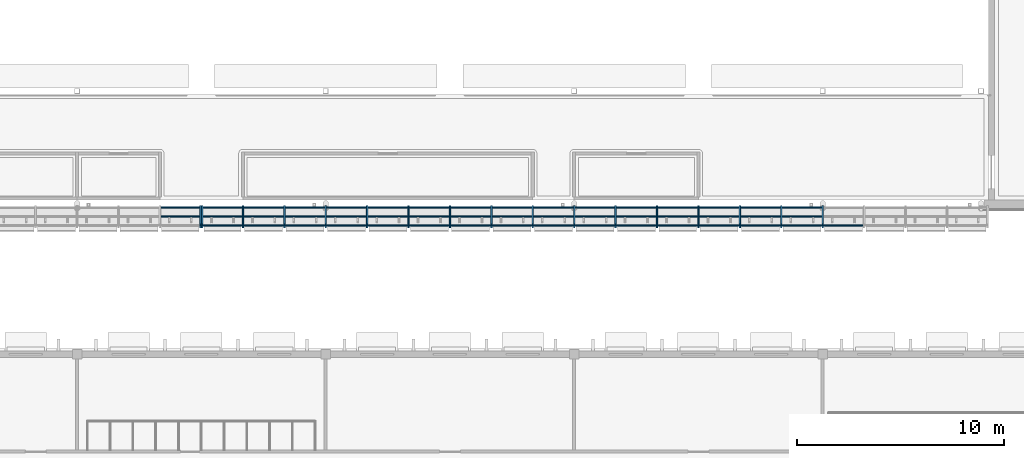
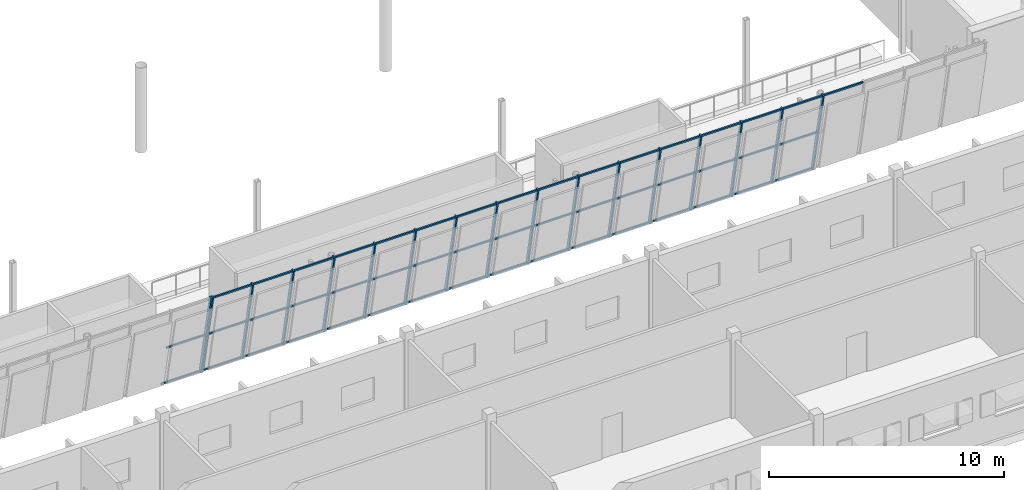
# One storey, part 29 of 115: 65 members, 2 elements without a shape of their own.
"""IFC4 building model written with IfcOpenShell, lengths in metres."""

from ifc_helpers import new_model, si_unit, direction, frame, origin, origin_2d, place, context, subcontext, project, spatial, rectangle, extrude, material, layer, layer_set, material_profile, profile_set, type_object, element, aggregate, save


model = new_model("IFC4")

# Units and contexts
model_context = context("Model", 3, precision=1e-05, world=origin(), true_north=direction((0.0, 1.0)))
body_context = subcontext(model_context, "Body", "Model", "MODEL_VIEW")
ifc_project = project(units=[si_unit("LENGTHUNIT", "METRE"), si_unit("AREAUNIT", "SQUARE_METRE"), si_unit("VOLUMEUNIT", "CUBIC_METRE"), si_unit("PLANEANGLEUNIT", "RADIAN"), si_unit("MASSUNIT", "GRAM", prefix="KILO")], contexts=[model_context])

# Site, building, storey
site_placement = place(None, origin())
site = spatial("IfcSite", under=ifc_project, at=site_placement, CompositionType="ELEMENT")
building_placement = place(site_placement, origin())
building = spatial("IfcBuilding", under=site, at=building_placement, Name="Windward Yard Aquatics Centre", CompositionType="ELEMENT")
storey_placement = place(building_placement, frame((0.0, 0.0, 5.0)))
storey = spatial("IfcBuildingStorey", under=building, at=storey_placement, Name="L01", CompositionType="ELEMENT", Elevation=5.0)

# Curtain wall, member
ifc_material_1 = material(Name="Glass and aluminium curtain wall", Category="aluminium")
ifc_layer = layer(ifc_material_1, 0.179931640625)
ifc_layer_set = layer_set([ifc_layer], Name="H curtain wall tier 1 double glazed 8+16+8")
curtain_wall_type = type_object("IfcCurtainWallType", Name="H curtain wall tier 1 double glazed 8+16+8", PredefinedType="NOTDEFINED", material=ifc_layer_set)
curtain_wall_1_placement = place(storey_placement, origin())
curtain_wall_1 = element("IfcCurtainWall", 1, at=curtain_wall_1_placement, inside=storey, type_object=curtain_wall_type, Name="Tier 1 glazing S L01", PredefinedType="NOTDEFINED")
ifc_material_2 = material(Name="Aluminium 6063-T6 anodised", Category="aluminium")
ifc_material_profile_1 = material_profile(ifc_material_2, rectangle(XDim=0.06494140625, YDim=0.179931640625, at=origin_2d()), Name="H CW mullion 65x180")
ifc_profile_set_1 = profile_set([ifc_material_profile_1], Name="Aluminium 6063-T6 anodised")
member_type_1 = type_object("IfcMemberType", Name="H CW mullion 65x180", PredefinedType="MULLION", material=ifc_profile_set_1)
member_1_placement = place(storey_placement, frame((101.96240234375, 26.088134765625, 0.017822265625), z_axis=(0.0, -0.199380237329, 0.979922201485), x_axis=(1.0, 0.0, 0.0)))
member_1 = element("IfcMember", 2, at=member_1_placement, type_object=member_type_1, Name="G1SA mullion 20", PredefinedType="MULLION", context=body_context, shape_type="SweptSolid", body=[
    extrude(rectangle(XDim=0.06494140625, YDim=0.179931640625, at=origin_2d()), origin(), (0.0, 0.0, 1.0), 4.471923828125),
])

# Curtain wall, members
curtain_wall_2_placement = place(storey_placement, origin())
curtain_wall_2 = element("IfcCurtainWall", 3, at=curtain_wall_2_placement, inside=storey, type_object=curtain_wall_type, Name="Tier 1 glazing S L01", PredefinedType="NOTDEFINED")
member_2_placement = place(storey_placement, frame((102.03759765625, 26.088134765625, 0.017822265625), z_axis=(0.0, -0.199380237329, 0.979922201485), x_axis=(1.0, 0.0, 0.0)))
member_2 = element("IfcMember", 4, at=member_2_placement, type_object=member_type_1, Name="G1SB mullion 1", PredefinedType="MULLION", context=body_context, shape_type="SweptSolid", body=[
    extrude(rectangle(XDim=0.06494140625, YDim=0.179931640625, at=origin_2d()), origin(), (0.0, 0.0, 1.0), 4.471923828125),
])
member_3_placement = place(storey_placement, frame((104.004638671875, 26.088134765625, 0.017822265625), z_axis=(0.0, -0.199380237329, 0.979922201485), x_axis=(1.0, 0.0, 0.0)))
member_3 = element("IfcMember", 5, at=member_3_placement, type_object=member_type_1, Name="G1SB mullion 2", PredefinedType="MULLION", context=body_context, shape_type="SweptSolid", body=[
    extrude(rectangle(XDim=0.06494140625, YDim=0.179931640625, at=origin_2d()), origin(), (0.0, 0.0, 1.0), 4.471923828125),
])
member_4_placement = place(storey_placement, frame((106.00439453125, 26.088134765625, 0.017822265625), z_axis=(0.0, -0.199380237329, 0.979922201485), x_axis=(1.0, 0.0, 0.0)))
member_4 = element("IfcMember", 6, at=member_4_placement, type_object=member_type_1, Name="G1SB mullion 3", PredefinedType="MULLION", context=body_context, shape_type="SweptSolid", body=[
    extrude(rectangle(XDim=0.06494140625, YDim=0.179931640625, at=origin_2d()), origin(), (0.0, 0.0, 1.0), 4.471923828125),
])
member_5_placement = place(storey_placement, frame((108.004150390625, 26.088134765625, 0.017822265625), z_axis=(0.0, -0.199380237329, 0.979922201485), x_axis=(1.0, 0.0, 0.0)))
member_5 = element("IfcMember", 7, at=member_5_placement, type_object=member_type_1, Name="G1SB mullion 4", PredefinedType="MULLION", context=body_context, shape_type="SweptSolid", body=[
    extrude(rectangle(XDim=0.06494140625, YDim=0.179931640625, at=origin_2d()), origin(), (0.0, 0.0, 1.0), 4.471923828125),
])
member_6_placement = place(storey_placement, frame((110.00390625, 26.088134765625, 0.017822265625), z_axis=(0.0, -0.199380237329, 0.979922201485), x_axis=(1.0, 0.0, 0.0)))
member_6 = element("IfcMember", 8, at=member_6_placement, type_object=member_type_1, Name="G1SB mullion 5", PredefinedType="MULLION", context=body_context, shape_type="SweptSolid", body=[
    extrude(rectangle(XDim=0.06494140625, YDim=0.179931640625, at=origin_2d()), origin(), (0.0, 0.0, 1.0), 4.471923828125),
])
member_7_placement = place(storey_placement, frame((112.003662109375, 26.088134765625, 0.017822265625), z_axis=(0.0, -0.199380237329, 0.979922201485), x_axis=(1.0, 0.0, 0.0)))
member_7 = element("IfcMember", 9, at=member_7_placement, type_object=member_type_1, Name="G1SB mullion 6", PredefinedType="MULLION", context=body_context, shape_type="SweptSolid", body=[
    extrude(rectangle(XDim=0.06494140625, YDim=0.179931640625, at=origin_2d()), origin(), (0.0, 0.0, 1.0), 4.471923828125),
])
member_8_placement = place(storey_placement, frame((114.00341796875, 26.088134765625, 0.017822265625), z_axis=(0.0, -0.199380237329, 0.979922201485), x_axis=(1.0, 0.0, 0.0)))
member_8 = element("IfcMember", 10, at=member_8_placement, type_object=member_type_1, Name="G1SB mullion 7", PredefinedType="MULLION", context=body_context, shape_type="SweptSolid", body=[
    extrude(rectangle(XDim=0.06494140625, YDim=0.179931640625, at=origin_2d()), origin(), (0.0, 0.0, 1.0), 4.471923828125),
])
member_9_placement = place(storey_placement, frame((116.003173828125, 26.088134765625, 0.017822265625), z_axis=(0.0, -0.199380237329, 0.979922201485), x_axis=(1.0, 0.0, 0.0)))
member_9 = element("IfcMember", 11, at=member_9_placement, type_object=member_type_1, Name="G1SB mullion 8", PredefinedType="MULLION", context=body_context, shape_type="SweptSolid", body=[
    extrude(rectangle(XDim=0.06494140625, YDim=0.179931640625, at=origin_2d()), origin(), (0.0, 0.0, 1.0), 4.471923828125),
])
member_10_placement = place(storey_placement, frame((118.0029296875, 26.088134765625, 0.017822265625), z_axis=(0.0, -0.199380237329, 0.979922201485), x_axis=(1.0, 0.0, 0.0)))
member_10 = element("IfcMember", 12, at=member_10_placement, type_object=member_type_1, Name="G1SB mullion 9", PredefinedType="MULLION", context=body_context, shape_type="SweptSolid", body=[
    extrude(rectangle(XDim=0.06494140625, YDim=0.179931640625, at=origin_2d()), origin(), (0.0, 0.0, 1.0), 4.471923828125),
])
member_11_placement = place(storey_placement, frame((120.002685546875, 26.088134765625, 0.017822265625), z_axis=(0.0, -0.199380237329, 0.979922201485), x_axis=(1.0, 0.0, 0.0)))
member_11 = element("IfcMember", 13, at=member_11_placement, type_object=member_type_1, Name="G1SB mullion 10", PredefinedType="MULLION", context=body_context, shape_type="SweptSolid", body=[
    extrude(rectangle(XDim=0.06494140625, YDim=0.179931640625, at=origin_2d()), origin(), (0.0, 0.0, 1.0), 4.471923828125),
])
member_12_placement = place(storey_placement, frame((122.00244140625, 26.088134765625, 0.017822265625), z_axis=(0.0, -0.199380237329, 0.979922201485), x_axis=(1.0, 0.0, 0.0)))
member_12 = element("IfcMember", 14, at=member_12_placement, type_object=member_type_1, Name="G1SB mullion 11", PredefinedType="MULLION", context=body_context, shape_type="SweptSolid", body=[
    extrude(rectangle(XDim=0.06494140625, YDim=0.179931640625, at=origin_2d()), origin(), (0.0, 0.0, 1.0), 4.471923828125),
])
member_13_placement = place(storey_placement, frame((124.002197265625, 26.088134765625, 0.017822265625), z_axis=(0.0, -0.199380237329, 0.979922201485), x_axis=(1.0, 0.0, 0.0)))
member_13 = element("IfcMember", 15, at=member_13_placement, type_object=member_type_1, Name="G1SB mullion 12", PredefinedType="MULLION", context=body_context, shape_type="SweptSolid", body=[
    extrude(rectangle(XDim=0.06494140625, YDim=0.179931640625, at=origin_2d()), origin(), (0.0, 0.0, 1.0), 4.471923828125),
])
member_14_placement = place(storey_placement, frame((126.001953125, 26.088134765625, 0.017822265625), z_axis=(0.0, -0.199380237329, 0.979922201485), x_axis=(1.0, 0.0, 0.0)))
member_14 = element("IfcMember", 16, at=member_14_placement, type_object=member_type_1, Name="G1SB mullion 13", PredefinedType="MULLION", context=body_context, shape_type="SweptSolid", body=[
    extrude(rectangle(XDim=0.06494140625, YDim=0.179931640625, at=origin_2d()), origin(), (0.0, 0.0, 1.0), 4.471923828125),
])
member_15_placement = place(storey_placement, frame((128.00146484375, 26.088134765625, 0.017822265625), z_axis=(0.0, -0.199380237329, 0.979922201485), x_axis=(1.0, 0.0, 0.0)))
member_15 = element("IfcMember", 17, at=member_15_placement, type_object=member_type_1, Name="G1SB mullion 14", PredefinedType="MULLION", context=body_context, shape_type="SweptSolid", body=[
    extrude(rectangle(XDim=0.06494140625, YDim=0.179931640625, at=origin_2d()), origin(), (0.0, 0.0, 1.0), 4.471923828125),
])
member_16_placement = place(storey_placement, frame((130.001220703125, 26.088134765625, 0.017822265625), z_axis=(0.0, -0.199380237329, 0.979922201485), x_axis=(1.0, 0.0, 0.0)))
member_16 = element("IfcMember", 18, at=member_16_placement, type_object=member_type_1, Name="G1SB mullion 15", PredefinedType="MULLION", context=body_context, shape_type="SweptSolid", body=[
    extrude(rectangle(XDim=0.06494140625, YDim=0.179931640625, at=origin_2d()), origin(), (0.0, 0.0, 1.0), 4.471923828125),
])
member_17_placement = place(storey_placement, frame((132.0009765625, 26.088134765625, 0.017822265625), z_axis=(0.0, -0.199380237329, 0.979922201485), x_axis=(1.0, 0.0, 0.0)))
member_17 = element("IfcMember", 19, at=member_17_placement, type_object=member_type_1, Name="G1SB mullion 16", PredefinedType="MULLION", context=body_context, shape_type="SweptSolid", body=[
    extrude(rectangle(XDim=0.06494140625, YDim=0.179931640625, at=origin_2d()), origin(), (0.0, 0.0, 1.0), 4.471923828125),
])

# Member
ifc_material_profile_2 = material_profile(ifc_material_2, rectangle(XDim=0.06494140625, YDim=0.10009765625, at=origin_2d()), Name="H CW transom 65x100")
ifc_profile_set_2 = profile_set([ifc_material_profile_2], Name="Aluminium 6063-T6 anodised")
member_type_2 = type_object("IfcMemberType", Name="H CW transom 65x100", PredefinedType="USERDEFINED", material=ifc_profile_set_2)
member_18_placement = place(storey_placement, frame((100.02783203125, 26.08056640625, 0.055419921875), z_axis=(1.0, 0.0, 0.0), x_axis=(0.0, 0.979924704642, 0.199367934315)))
member_18 = element("IfcMember", 20, at=member_18_placement, type_object=member_type_2, Name="G1SA transom 19.1", ObjectType="TRANSOM", PredefinedType="USERDEFINED", context=body_context, shape_type="SweptSolid", body=[
    extrude(rectangle(XDim=0.06494140625, YDim=0.10009765625, at=origin_2d()), origin(), (0.0, 0.0, 1.0), 1.902099609375),
])

member_19_placement = place(storey_placement, frame((100.02783203125, 25.644287109375, 2.199951171875), z_axis=(1.0, 0.0, 0.0), x_axis=(0.0, 0.979924704642, 0.199367934315)))
member_19 = element("IfcMember", 21, at=member_19_placement, type_object=member_type_2, Name="G1SA transom 19.2", ObjectType="TRANSOM", PredefinedType="USERDEFINED", context=body_context, shape_type="SweptSolid", body=[
    extrude(rectangle(XDim=0.06494140625, YDim=0.10009765625, at=origin_2d()), origin(), (0.0, 0.0, 1.0), 1.902099609375),
])

aggregate(curtain_wall_1, [member_1, member_18, member_19])

member_20_placement = place(storey_placement, frame((102.070068359375, 26.08056640625, 0.055419921875), z_axis=(1.0, 0.0, 0.0), x_axis=(0.0, 0.979924704642, 0.199367934315)))
member_20 = element("IfcMember", 22, at=member_20_placement, type_object=member_type_2, Name="G1SB transom 1.1", ObjectType="TRANSOM", PredefinedType="USERDEFINED", context=body_context, shape_type="SweptSolid", body=[
    extrude(rectangle(XDim=0.06494140625, YDim=0.10009765625, at=origin_2d()), origin(), (0.0, 0.0, 1.0), 1.902099609375),
])

member_21_placement = place(storey_placement, frame((102.070068359375, 25.644287109375, 2.199951171875), z_axis=(1.0, 0.0, 0.0), x_axis=(0.0, 0.979924704642, 0.199367934315)))
member_21 = element("IfcMember", 23, at=member_21_placement, type_object=member_type_2, Name="G1SB transom 1.2", ObjectType="TRANSOM", PredefinedType="USERDEFINED", context=body_context, shape_type="SweptSolid", body=[
    extrude(rectangle(XDim=0.06494140625, YDim=0.10009765625, at=origin_2d()), origin(), (0.0, 0.0, 1.0), 1.902099609375),
])

member_22_placement = place(storey_placement, frame((102.070068359375, 25.20654296875, 4.35107421875), z_axis=(1.0, 0.0, 0.0), x_axis=(0.0, 0.979924704642, 0.199367934315)))
member_22 = element("IfcMember", 24, at=member_22_placement, type_object=member_type_2, Name="G1SB transom 1.3", ObjectType="TRANSOM", PredefinedType="USERDEFINED", context=body_context, shape_type="SweptSolid", body=[
    extrude(rectangle(XDim=0.06494140625, YDim=0.10009765625, at=origin_2d()), origin(), (0.0, 0.0, 1.0), 1.902099609375),
])

member_23_placement = place(storey_placement, frame((104.037353515625, 26.08056640625, 0.055419921875), z_axis=(1.0, 0.0, 0.0), x_axis=(0.0, 0.979924704642, 0.199367934315)))
member_23 = element("IfcMember", 25, at=member_23_placement, type_object=member_type_2, Name="G1SB transom 2.1", ObjectType="TRANSOM", PredefinedType="USERDEFINED", context=body_context, shape_type="SweptSolid", body=[
    extrude(rectangle(XDim=0.06494140625, YDim=0.10009765625, at=origin_2d()), origin(), (0.0, 0.0, 1.0), 1.9345703125),
])

member_24_placement = place(storey_placement, frame((104.037353515625, 25.644287109375, 2.199951171875), z_axis=(1.0, 0.0, 0.0), x_axis=(0.0, 0.979924704642, 0.199367934315)))
member_24 = element("IfcMember", 26, at=member_24_placement, type_object=member_type_2, Name="G1SB transom 2.2", ObjectType="TRANSOM", PredefinedType="USERDEFINED", context=body_context, shape_type="SweptSolid", body=[
    extrude(rectangle(XDim=0.06494140625, YDim=0.10009765625, at=origin_2d()), origin(), (0.0, 0.0, 1.0), 1.9345703125),
])

member_25_placement = place(storey_placement, frame((104.037353515625, 25.20654296875, 4.35107421875), z_axis=(1.0, 0.0, 0.0), x_axis=(0.0, 0.979924704642, 0.199367934315)))
member_25 = element("IfcMember", 27, at=member_25_placement, type_object=member_type_2, Name="G1SB transom 2.3", ObjectType="TRANSOM", PredefinedType="USERDEFINED", context=body_context, shape_type="SweptSolid", body=[
    extrude(rectangle(XDim=0.06494140625, YDim=0.10009765625, at=origin_2d()), origin(), (0.0, 0.0, 1.0), 1.9345703125),
])

member_26_placement = place(storey_placement, frame((106.036865234375, 26.08056640625, 0.055419921875), z_axis=(1.0, 0.0, 0.0), x_axis=(0.0, 0.979924704642, 0.199367934315)))
member_26 = element("IfcMember", 28, at=member_26_placement, type_object=member_type_2, Name="G1SB transom 3.1", ObjectType="TRANSOM", PredefinedType="USERDEFINED", context=body_context, shape_type="SweptSolid", body=[
    extrude(rectangle(XDim=0.06494140625, YDim=0.10009765625, at=origin_2d()), origin(), (0.0, 0.0, 1.0), 1.934814453125),
])

member_27_placement = place(storey_placement, frame((106.036865234375, 25.644287109375, 2.199951171875), z_axis=(1.0, 0.0, 0.0), x_axis=(0.0, 0.979924704642, 0.199367934315)))
member_27 = element("IfcMember", 29, at=member_27_placement, type_object=member_type_2, Name="G1SB transom 3.2", ObjectType="TRANSOM", PredefinedType="USERDEFINED", context=body_context, shape_type="SweptSolid", body=[
    extrude(rectangle(XDim=0.06494140625, YDim=0.10009765625, at=origin_2d()), origin(), (0.0, 0.0, 1.0), 1.934814453125),
])

member_28_placement = place(storey_placement, frame((106.036865234375, 25.20654296875, 4.35107421875), z_axis=(1.0, 0.0, 0.0), x_axis=(0.0, 0.979924704642, 0.199367934315)))
member_28 = element("IfcMember", 30, at=member_28_placement, type_object=member_type_2, Name="G1SB transom 3.3", ObjectType="TRANSOM", PredefinedType="USERDEFINED", context=body_context, shape_type="SweptSolid", body=[
    extrude(rectangle(XDim=0.06494140625, YDim=0.10009765625, at=origin_2d()), origin(), (0.0, 0.0, 1.0), 1.934814453125),
])

member_29_placement = place(storey_placement, frame((108.03662109375, 26.08056640625, 0.055419921875), z_axis=(1.0, 0.0, 0.0), x_axis=(0.0, 0.979924704642, 0.199367934315)))
member_29 = element("IfcMember", 31, at=member_29_placement, type_object=member_type_2, Name="G1SB transom 4.1", ObjectType="TRANSOM", PredefinedType="USERDEFINED", context=body_context, shape_type="SweptSolid", body=[
    extrude(rectangle(XDim=0.06494140625, YDim=0.10009765625, at=origin_2d()), origin(), (0.0, 0.0, 1.0), 1.934814453125),
])

member_30_placement = place(storey_placement, frame((108.03662109375, 25.644287109375, 2.199951171875), z_axis=(1.0, 0.0, 0.0), x_axis=(0.0, 0.979924704642, 0.199367934315)))
member_30 = element("IfcMember", 32, at=member_30_placement, type_object=member_type_2, Name="G1SB transom 4.2", ObjectType="TRANSOM", PredefinedType="USERDEFINED", context=body_context, shape_type="SweptSolid", body=[
    extrude(rectangle(XDim=0.06494140625, YDim=0.10009765625, at=origin_2d()), origin(), (0.0, 0.0, 1.0), 1.934814453125),
])

member_31_placement = place(storey_placement, frame((108.03662109375, 25.20654296875, 4.35107421875), z_axis=(1.0, 0.0, 0.0), x_axis=(0.0, 0.979924704642, 0.199367934315)))
member_31 = element("IfcMember", 33, at=member_31_placement, type_object=member_type_2, Name="G1SB transom 4.3", ObjectType="TRANSOM", PredefinedType="USERDEFINED", context=body_context, shape_type="SweptSolid", body=[
    extrude(rectangle(XDim=0.06494140625, YDim=0.10009765625, at=origin_2d()), origin(), (0.0, 0.0, 1.0), 1.934814453125),
])

member_32_placement = place(storey_placement, frame((110.036376953125, 26.08056640625, 0.055419921875), z_axis=(1.0, 0.0, 0.0), x_axis=(0.0, 0.979924704642, 0.199367934315)))
member_32 = element("IfcMember", 34, at=member_32_placement, type_object=member_type_2, Name="G1SB transom 5.1", ObjectType="TRANSOM", PredefinedType="USERDEFINED", context=body_context, shape_type="SweptSolid", body=[
    extrude(rectangle(XDim=0.06494140625, YDim=0.10009765625, at=origin_2d()), origin(), (0.0, 0.0, 1.0), 1.934814453125),
])

member_33_placement = place(storey_placement, frame((110.036376953125, 25.644287109375, 2.199951171875), z_axis=(1.0, 0.0, 0.0), x_axis=(0.0, 0.979924704642, 0.199367934315)))
member_33 = element("IfcMember", 35, at=member_33_placement, type_object=member_type_2, Name="G1SB transom 5.2", ObjectType="TRANSOM", PredefinedType="USERDEFINED", context=body_context, shape_type="SweptSolid", body=[
    extrude(rectangle(XDim=0.06494140625, YDim=0.10009765625, at=origin_2d()), origin(), (0.0, 0.0, 1.0), 1.934814453125),
])

member_34_placement = place(storey_placement, frame((110.036376953125, 25.20654296875, 4.35107421875), z_axis=(1.0, 0.0, 0.0), x_axis=(0.0, 0.979924704642, 0.199367934315)))
member_34 = element("IfcMember", 36, at=member_34_placement, type_object=member_type_2, Name="G1SB transom 5.3", ObjectType="TRANSOM", PredefinedType="USERDEFINED", context=body_context, shape_type="SweptSolid", body=[
    extrude(rectangle(XDim=0.06494140625, YDim=0.10009765625, at=origin_2d()), origin(), (0.0, 0.0, 1.0), 1.934814453125),
])

member_35_placement = place(storey_placement, frame((112.0361328125, 26.08056640625, 0.055419921875), z_axis=(1.0, 0.0, 0.0), x_axis=(0.0, 0.979924704642, 0.199367934315)))
member_35 = element("IfcMember", 37, at=member_35_placement, type_object=member_type_2, Name="G1SB transom 6.1", ObjectType="TRANSOM", PredefinedType="USERDEFINED", context=body_context, shape_type="SweptSolid", body=[
    extrude(rectangle(XDim=0.06494140625, YDim=0.10009765625, at=origin_2d()), origin(), (0.0, 0.0, 1.0), 1.934814453125),
])

member_36_placement = place(storey_placement, frame((112.0361328125, 25.644287109375, 2.199951171875), z_axis=(1.0, 0.0, 0.0), x_axis=(0.0, 0.979924704642, 0.199367934315)))
member_36 = element("IfcMember", 38, at=member_36_placement, type_object=member_type_2, Name="G1SB transom 6.2", ObjectType="TRANSOM", PredefinedType="USERDEFINED", context=body_context, shape_type="SweptSolid", body=[
    extrude(rectangle(XDim=0.06494140625, YDim=0.10009765625, at=origin_2d()), origin(), (0.0, 0.0, 1.0), 1.934814453125),
])

member_37_placement = place(storey_placement, frame((112.0361328125, 25.20654296875, 4.35107421875), z_axis=(1.0, 0.0, 0.0), x_axis=(0.0, 0.979924704642, 0.199367934315)))
member_37 = element("IfcMember", 39, at=member_37_placement, type_object=member_type_2, Name="G1SB transom 6.3", ObjectType="TRANSOM", PredefinedType="USERDEFINED", context=body_context, shape_type="SweptSolid", body=[
    extrude(rectangle(XDim=0.06494140625, YDim=0.10009765625, at=origin_2d()), origin(), (0.0, 0.0, 1.0), 1.934814453125),
])

member_38_placement = place(storey_placement, frame((114.035888671875, 26.08056640625, 0.055419921875), z_axis=(1.0, 0.0, 0.0), x_axis=(0.0, 0.979924704642, 0.199367934315)))
member_38 = element("IfcMember", 40, at=member_38_placement, type_object=member_type_2, Name="G1SB transom 7.1", ObjectType="TRANSOM", PredefinedType="USERDEFINED", context=body_context, shape_type="SweptSolid", body=[
    extrude(rectangle(XDim=0.06494140625, YDim=0.10009765625, at=origin_2d()), origin(), (0.0, 0.0, 1.0), 1.934814453125),
])

member_39_placement = place(storey_placement, frame((114.035888671875, 25.644287109375, 2.199951171875), z_axis=(1.0, 0.0, 0.0), x_axis=(0.0, 0.979924704642, 0.199367934315)))
member_39 = element("IfcMember", 41, at=member_39_placement, type_object=member_type_2, Name="G1SB transom 7.2", ObjectType="TRANSOM", PredefinedType="USERDEFINED", context=body_context, shape_type="SweptSolid", body=[
    extrude(rectangle(XDim=0.06494140625, YDim=0.10009765625, at=origin_2d()), origin(), (0.0, 0.0, 1.0), 1.934814453125),
])

member_40_placement = place(storey_placement, frame((114.035888671875, 25.20654296875, 4.35107421875), z_axis=(1.0, 0.0, 0.0), x_axis=(0.0, 0.979924704642, 0.199367934315)))
member_40 = element("IfcMember", 42, at=member_40_placement, type_object=member_type_2, Name="G1SB transom 7.3", ObjectType="TRANSOM", PredefinedType="USERDEFINED", context=body_context, shape_type="SweptSolid", body=[
    extrude(rectangle(XDim=0.06494140625, YDim=0.10009765625, at=origin_2d()), origin(), (0.0, 0.0, 1.0), 1.934814453125),
])

member_41_placement = place(storey_placement, frame((116.03564453125, 26.08056640625, 0.055419921875), z_axis=(1.0, 0.0, 0.0), x_axis=(0.0, 0.979924704642, 0.199367934315)))
member_41 = element("IfcMember", 43, at=member_41_placement, type_object=member_type_2, Name="G1SB transom 8.1", ObjectType="TRANSOM", PredefinedType="USERDEFINED", context=body_context, shape_type="SweptSolid", body=[
    extrude(rectangle(XDim=0.06494140625, YDim=0.10009765625, at=origin_2d()), origin(), (0.0, 0.0, 1.0), 1.934814453125),
])

member_42_placement = place(storey_placement, frame((116.03564453125, 25.644287109375, 2.199951171875), z_axis=(1.0, 0.0, 0.0), x_axis=(0.0, 0.979924704642, 0.199367934315)))
member_42 = element("IfcMember", 44, at=member_42_placement, type_object=member_type_2, Name="G1SB transom 8.2", ObjectType="TRANSOM", PredefinedType="USERDEFINED", context=body_context, shape_type="SweptSolid", body=[
    extrude(rectangle(XDim=0.06494140625, YDim=0.10009765625, at=origin_2d()), origin(), (0.0, 0.0, 1.0), 1.934814453125),
])

member_43_placement = place(storey_placement, frame((116.03564453125, 25.20654296875, 4.35107421875), z_axis=(1.0, 0.0, 0.0), x_axis=(0.0, 0.979924704642, 0.199367934315)))
member_43 = element("IfcMember", 45, at=member_43_placement, type_object=member_type_2, Name="G1SB transom 8.3", ObjectType="TRANSOM", PredefinedType="USERDEFINED", context=body_context, shape_type="SweptSolid", body=[
    extrude(rectangle(XDim=0.06494140625, YDim=0.10009765625, at=origin_2d()), origin(), (0.0, 0.0, 1.0), 1.934814453125),
])

member_44_placement = place(storey_placement, frame((118.035400390625, 26.08056640625, 0.055419921875), z_axis=(1.0, 0.0, 0.0), x_axis=(0.0, 0.979924704642, 0.199367934315)))
member_44 = element("IfcMember", 46, at=member_44_placement, type_object=member_type_2, Name="G1SB transom 9.1", ObjectType="TRANSOM", PredefinedType="USERDEFINED", context=body_context, shape_type="SweptSolid", body=[
    extrude(rectangle(XDim=0.06494140625, YDim=0.10009765625, at=origin_2d()), origin(), (0.0, 0.0, 1.0), 1.934814453125),
])

member_45_placement = place(storey_placement, frame((118.035400390625, 25.644287109375, 2.199951171875), z_axis=(1.0, 0.0, 0.0), x_axis=(0.0, 0.979924704642, 0.199367934315)))
member_45 = element("IfcMember", 47, at=member_45_placement, type_object=member_type_2, Name="G1SB transom 9.2", ObjectType="TRANSOM", PredefinedType="USERDEFINED", context=body_context, shape_type="SweptSolid", body=[
    extrude(rectangle(XDim=0.06494140625, YDim=0.10009765625, at=origin_2d()), origin(), (0.0, 0.0, 1.0), 1.934814453125),
])

member_46_placement = place(storey_placement, frame((118.035400390625, 25.20654296875, 4.35107421875), z_axis=(1.0, 0.0, 0.0), x_axis=(0.0, 0.979924704642, 0.199367934315)))
member_46 = element("IfcMember", 48, at=member_46_placement, type_object=member_type_2, Name="G1SB transom 9.3", ObjectType="TRANSOM", PredefinedType="USERDEFINED", context=body_context, shape_type="SweptSolid", body=[
    extrude(rectangle(XDim=0.06494140625, YDim=0.10009765625, at=origin_2d()), origin(), (0.0, 0.0, 1.0), 1.934814453125),
])

member_47_placement = place(storey_placement, frame((120.03515625, 26.08056640625, 0.055419921875), z_axis=(1.0, 0.0, 0.0), x_axis=(0.0, 0.979924704642, 0.199367934315)))
member_47 = element("IfcMember", 49, at=member_47_placement, type_object=member_type_2, Name="G1SB transom 10.1", ObjectType="TRANSOM", PredefinedType="USERDEFINED", context=body_context, shape_type="SweptSolid", body=[
    extrude(rectangle(XDim=0.06494140625, YDim=0.10009765625, at=origin_2d()), origin(), (0.0, 0.0, 1.0), 1.934814453125),
])

member_48_placement = place(storey_placement, frame((120.03515625, 25.644287109375, 2.199951171875), z_axis=(1.0, 0.0, 0.0), x_axis=(0.0, 0.979924704642, 0.199367934315)))
member_48 = element("IfcMember", 50, at=member_48_placement, type_object=member_type_2, Name="G1SB transom 10.2", ObjectType="TRANSOM", PredefinedType="USERDEFINED", context=body_context, shape_type="SweptSolid", body=[
    extrude(rectangle(XDim=0.06494140625, YDim=0.10009765625, at=origin_2d()), origin(), (0.0, 0.0, 1.0), 1.934814453125),
])

member_49_placement = place(storey_placement, frame((120.03515625, 25.20654296875, 4.35107421875), z_axis=(1.0, 0.0, 0.0), x_axis=(0.0, 0.979924704642, 0.199367934315)))
member_49 = element("IfcMember", 51, at=member_49_placement, type_object=member_type_2, Name="G1SB transom 10.3", ObjectType="TRANSOM", PredefinedType="USERDEFINED", context=body_context, shape_type="SweptSolid", body=[
    extrude(rectangle(XDim=0.06494140625, YDim=0.10009765625, at=origin_2d()), origin(), (0.0, 0.0, 1.0), 1.934814453125),
])

member_50_placement = place(storey_placement, frame((122.034912109375, 26.08056640625, 0.055419921875), z_axis=(1.0, 0.0, 0.0), x_axis=(0.0, 0.979924704642, 0.199367934315)))
member_50 = element("IfcMember", 52, at=member_50_placement, type_object=member_type_2, Name="G1SB transom 11.1", ObjectType="TRANSOM", PredefinedType="USERDEFINED", context=body_context, shape_type="SweptSolid", body=[
    extrude(rectangle(XDim=0.06494140625, YDim=0.10009765625, at=origin_2d()), origin(), (0.0, 0.0, 1.0), 1.934814453125),
])

member_51_placement = place(storey_placement, frame((122.034912109375, 25.644287109375, 2.199951171875), z_axis=(1.0, 0.0, 0.0), x_axis=(0.0, 0.979924704642, 0.199367934315)))
member_51 = element("IfcMember", 53, at=member_51_placement, type_object=member_type_2, Name="G1SB transom 11.2", ObjectType="TRANSOM", PredefinedType="USERDEFINED", context=body_context, shape_type="SweptSolid", body=[
    extrude(rectangle(XDim=0.06494140625, YDim=0.10009765625, at=origin_2d()), origin(), (0.0, 0.0, 1.0), 1.934814453125),
])

member_52_placement = place(storey_placement, frame((122.034912109375, 25.20654296875, 4.35107421875), z_axis=(1.0, 0.0, 0.0), x_axis=(0.0, 0.979924704642, 0.199367934315)))
member_52 = element("IfcMember", 54, at=member_52_placement, type_object=member_type_2, Name="G1SB transom 11.3", ObjectType="TRANSOM", PredefinedType="USERDEFINED", context=body_context, shape_type="SweptSolid", body=[
    extrude(rectangle(XDim=0.06494140625, YDim=0.10009765625, at=origin_2d()), origin(), (0.0, 0.0, 1.0), 1.934814453125),
])

member_53_placement = place(storey_placement, frame((124.03466796875, 26.08056640625, 0.055419921875), z_axis=(1.0, 0.0, 0.0), x_axis=(0.0, 0.979924704642, 0.199367934315)))
member_53 = element("IfcMember", 55, at=member_53_placement, type_object=member_type_2, Name="G1SB transom 12.1", ObjectType="TRANSOM", PredefinedType="USERDEFINED", context=body_context, shape_type="SweptSolid", body=[
    extrude(rectangle(XDim=0.06494140625, YDim=0.10009765625, at=origin_2d()), origin(), (0.0, 0.0, 1.0), 1.9345703125),
])

member_54_placement = place(storey_placement, frame((124.03466796875, 25.644287109375, 2.199951171875), z_axis=(1.0, 0.0, 0.0), x_axis=(0.0, 0.979924704642, 0.199367934315)))
member_54 = element("IfcMember", 56, at=member_54_placement, type_object=member_type_2, Name="G1SB transom 12.2", ObjectType="TRANSOM", PredefinedType="USERDEFINED", context=body_context, shape_type="SweptSolid", body=[
    extrude(rectangle(XDim=0.06494140625, YDim=0.10009765625, at=origin_2d()), origin(), (0.0, 0.0, 1.0), 1.9345703125),
])

member_55_placement = place(storey_placement, frame((124.03466796875, 25.20654296875, 4.35107421875), z_axis=(1.0, 0.0, 0.0), x_axis=(0.0, 0.979924704642, 0.199367934315)))
member_55 = element("IfcMember", 57, at=member_55_placement, type_object=member_type_2, Name="G1SB transom 12.3", ObjectType="TRANSOM", PredefinedType="USERDEFINED", context=body_context, shape_type="SweptSolid", body=[
    extrude(rectangle(XDim=0.06494140625, YDim=0.10009765625, at=origin_2d()), origin(), (0.0, 0.0, 1.0), 1.9345703125),
])

member_56_placement = place(storey_placement, frame((126.034423828125, 26.08056640625, 0.055419921875), z_axis=(1.0, 0.0, 0.0), x_axis=(0.0, 0.979924704642, 0.199367934315)))
member_56 = element("IfcMember", 58, at=member_56_placement, type_object=member_type_2, Name="G1SB transom 13.1", ObjectType="TRANSOM", PredefinedType="USERDEFINED", context=body_context, shape_type="SweptSolid", body=[
    extrude(rectangle(XDim=0.06494140625, YDim=0.10009765625, at=origin_2d()), origin(), (0.0, 0.0, 1.0), 1.9345703125),
])

member_57_placement = place(storey_placement, frame((126.034423828125, 25.644287109375, 2.199951171875), z_axis=(1.0, 0.0, 0.0), x_axis=(0.0, 0.979924704642, 0.199367934315)))
member_57 = element("IfcMember", 59, at=member_57_placement, type_object=member_type_2, Name="G1SB transom 13.2", ObjectType="TRANSOM", PredefinedType="USERDEFINED", context=body_context, shape_type="SweptSolid", body=[
    extrude(rectangle(XDim=0.06494140625, YDim=0.10009765625, at=origin_2d()), origin(), (0.0, 0.0, 1.0), 1.9345703125),
])

member_58_placement = place(storey_placement, frame((126.034423828125, 25.20654296875, 4.35107421875), z_axis=(1.0, 0.0, 0.0), x_axis=(0.0, 0.979924704642, 0.199367934315)))
member_58 = element("IfcMember", 60, at=member_58_placement, type_object=member_type_2, Name="G1SB transom 13.3", ObjectType="TRANSOM", PredefinedType="USERDEFINED", context=body_context, shape_type="SweptSolid", body=[
    extrude(rectangle(XDim=0.06494140625, YDim=0.10009765625, at=origin_2d()), origin(), (0.0, 0.0, 1.0), 1.9345703125),
])

member_59_placement = place(storey_placement, frame((128.0341796875, 26.08056640625, 0.055419921875), z_axis=(1.0, 0.0, 0.0), x_axis=(0.0, 0.979924704642, 0.199367934315)))
member_59 = element("IfcMember", 61, at=member_59_placement, type_object=member_type_2, Name="G1SB transom 14.1", ObjectType="TRANSOM", PredefinedType="USERDEFINED", context=body_context, shape_type="SweptSolid", body=[
    extrude(rectangle(XDim=0.06494140625, YDim=0.10009765625, at=origin_2d()), origin(), (0.0, 0.0, 1.0), 1.9345703125),
])

member_60_placement = place(storey_placement, frame((128.0341796875, 25.644287109375, 2.199951171875), z_axis=(1.0, 0.0, 0.0), x_axis=(0.0, 0.979924704642, 0.199367934315)))
member_60 = element("IfcMember", 62, at=member_60_placement, type_object=member_type_2, Name="G1SB transom 14.2", ObjectType="TRANSOM", PredefinedType="USERDEFINED", context=body_context, shape_type="SweptSolid", body=[
    extrude(rectangle(XDim=0.06494140625, YDim=0.10009765625, at=origin_2d()), origin(), (0.0, 0.0, 1.0), 1.9345703125),
])

member_61_placement = place(storey_placement, frame((128.0341796875, 25.20654296875, 4.35107421875), z_axis=(1.0, 0.0, 0.0), x_axis=(0.0, 0.979924704642, 0.199367934315)))
member_61 = element("IfcMember", 63, at=member_61_placement, type_object=member_type_2, Name="G1SB transom 14.3", ObjectType="TRANSOM", PredefinedType="USERDEFINED", context=body_context, shape_type="SweptSolid", body=[
    extrude(rectangle(XDim=0.06494140625, YDim=0.10009765625, at=origin_2d()), origin(), (0.0, 0.0, 1.0), 1.9345703125),
])

member_62_placement = place(storey_placement, frame((130.033935546875, 26.08056640625, 0.055419921875), z_axis=(1.0, 0.0, 0.0), x_axis=(0.0, 0.979924704642, 0.199367934315)))
member_62 = element("IfcMember", 64, at=member_62_placement, type_object=member_type_2, Name="G1SB transom 15.1", ObjectType="TRANSOM", PredefinedType="USERDEFINED", context=body_context, shape_type="SweptSolid", body=[
    extrude(rectangle(XDim=0.06494140625, YDim=0.10009765625, at=origin_2d()), origin(), (0.0, 0.0, 1.0), 1.9345703125),
])

member_63_placement = place(storey_placement, frame((130.033935546875, 25.644287109375, 2.199951171875), z_axis=(1.0, 0.0, 0.0), x_axis=(0.0, 0.979924704642, 0.199367934315)))
member_63 = element("IfcMember", 65, at=member_63_placement, type_object=member_type_2, Name="G1SB transom 15.2", ObjectType="TRANSOM", PredefinedType="USERDEFINED", context=body_context, shape_type="SweptSolid", body=[
    extrude(rectangle(XDim=0.06494140625, YDim=0.10009765625, at=origin_2d()), origin(), (0.0, 0.0, 1.0), 1.9345703125),
])

member_64_placement = place(storey_placement, frame((130.033935546875, 25.20654296875, 4.35107421875), z_axis=(1.0, 0.0, 0.0), x_axis=(0.0, 0.979924704642, 0.199367934315)))
member_64 = element("IfcMember", 66, at=member_64_placement, type_object=member_type_2, Name="G1SB transom 15.3", ObjectType="TRANSOM", PredefinedType="USERDEFINED", context=body_context, shape_type="SweptSolid", body=[
    extrude(rectangle(XDim=0.06494140625, YDim=0.10009765625, at=origin_2d()), origin(), (0.0, 0.0, 1.0), 1.9345703125),
])

member_65_placement = place(storey_placement, frame((132.033447265625, 25.20654296875, 4.35107421875), z_axis=(1.0, 0.0, 0.0), x_axis=(0.0, 0.979924704642, 0.199367934315)))
member_65 = element("IfcMember", 67, at=member_65_placement, type_object=member_type_2, Name="G1SB transom 16.3", ObjectType="TRANSOM", PredefinedType="USERDEFINED", context=body_context, shape_type="SweptSolid", body=[
    extrude(rectangle(XDim=0.06494140625, YDim=0.10009765625, at=origin_2d()), origin(), (0.0, 0.0, 1.0), 1.934814453125),
])

aggregate(curtain_wall_2, [member_2, member_3, member_4, member_5, member_6, member_7, member_8, member_9, member_10, member_11, member_12, member_13, member_14, member_15, member_16, member_17, member_20, member_21, member_22, member_23, member_24, member_25, member_26, member_27, member_28, member_29, member_30, member_31, member_32, member_33, member_34, member_35, member_36, member_37, member_38, member_39, member_40, member_41, member_42, member_43, member_44, member_45, member_46, member_47, member_48, member_49, member_50, member_51, member_52, member_53, member_54, member_55, member_56, member_57, member_58, member_59, member_60, member_61, member_62, member_63, member_64, member_65])

save(model, "model.ifc")
